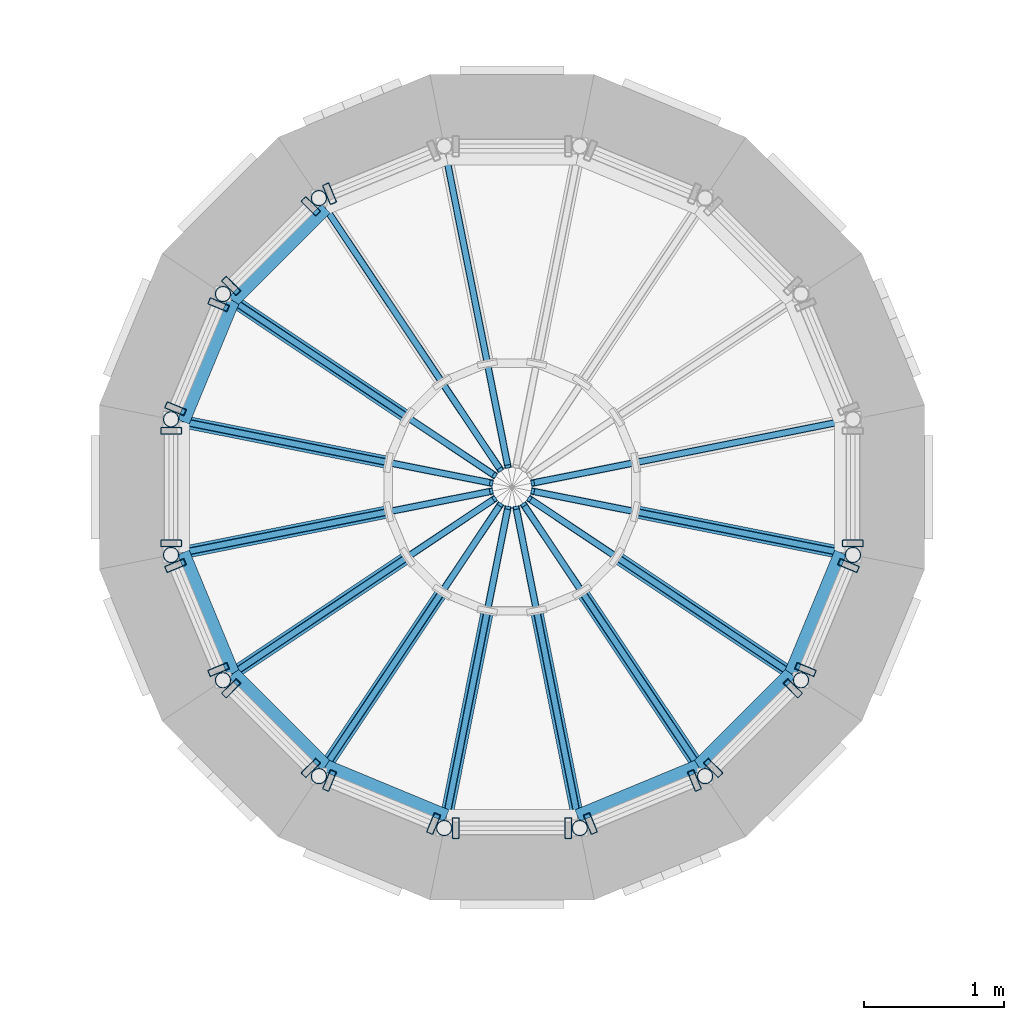
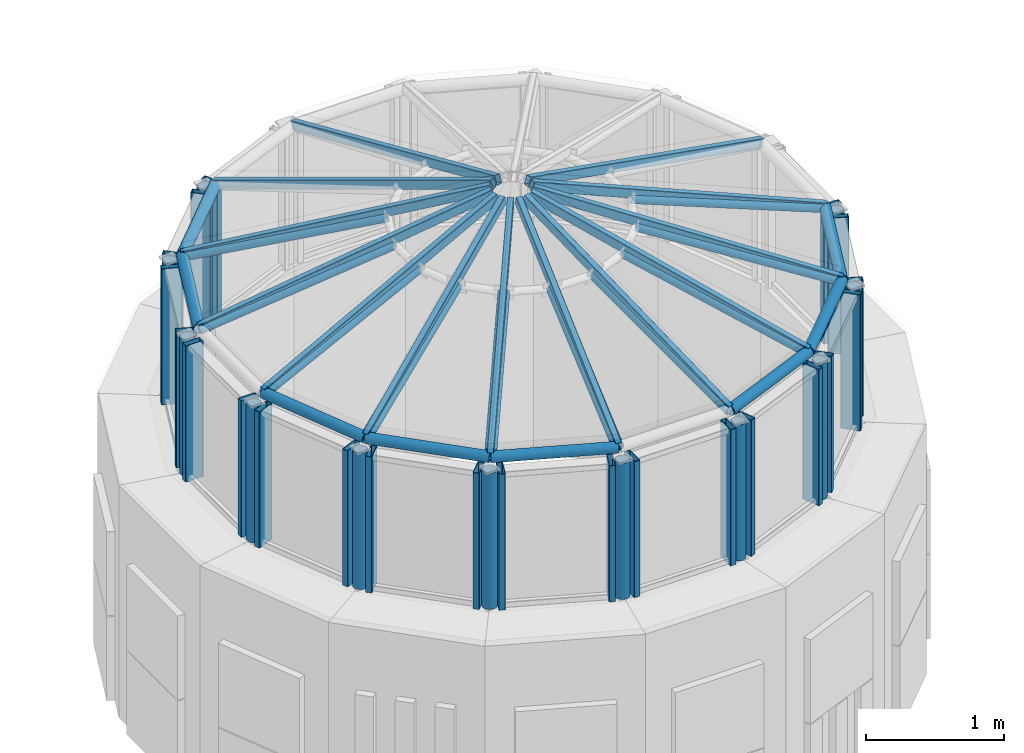
# One storey, part 4 of 36: 64 members, 12 elements without a shape of their own.
"""IFC4 building model written with IfcOpenShell, lengths in metres."""

from ifc_helpers import new_model, si_unit, direction, frame, origin, origin_2d, place, context, subcontext, project, spatial, hollow_rectangle, hollow_circle, extrude, material, material_profile, profile_set, type_object, element, aggregate, save


model = new_model("IFC4")

# Units and contexts
model_context = context("Model", 3, precision=1e-05, world=origin(), true_north=direction((0.0, 1.0)))
body_context = subcontext(model_context, "Body", "Model", "MODEL_VIEW")
ifc_project = project(units=[si_unit("LENGTHUNIT", "METRE"), si_unit("AREAUNIT", "SQUARE_METRE"), si_unit("VOLUMEUNIT", "CUBIC_METRE"), si_unit("PLANEANGLEUNIT", "RADIAN"), si_unit("MASSUNIT", "GRAM", prefix="KILO")], contexts=[model_context])

# Site, building, storey
site_placement = place(None, origin())
site = spatial("IfcSite", under=ifc_project, at=site_placement, CompositionType="ELEMENT")
building_placement = place(site_placement, origin())
building = spatial("IfcBuilding", under=site, at=building_placement, Name="Sun Court Science Centre", CompositionType="ELEMENT")
storey_placement = place(building_placement, frame((0.0, 0.0, 24.75)))
storey = spatial("IfcBuildingStorey", under=building, at=storey_placement, Name="L05", CompositionType="ELEMENT", Elevation=24.75)

# Curtain wall, member
ifc_material_1 = material(Name="Aluminium EN AW-6063 T6", Category="aluminium")
curtain_wall_type = type_object("IfcCurtainWallType", Name="Lantern clerestory curtain wall 1500", PredefinedType="NOTDEFINED", material=ifc_material_1)
curtain_wall_1_placement = place(storey_placement, origin())
curtain_wall_1 = element("IfcCurtainWall", 1, at=curtain_wall_1_placement, inside=storey, type_object=curtain_wall_type, Name="Curtain wall V2 C4 clerestory L05 05", PredefinedType="NOTDEFINED")
ifc_material_2 = material(Name="Aluminium EN AW-6063 T6", Category="aluminium")
ifc_material_profile_1 = material_profile(ifc_material_2, hollow_rectangle(XDim=0.050048828125, YDim=0.14990234375, WallThickness=0.00390625, InnerFilletRadius=0.00390625, OuterFilletRadius=0.006103515625, at=origin_2d()), Name="AL 50x150x4")
ifc_profile_set_1 = profile_set([ifc_material_profile_1], Name="Aluminium EN AW-6063 T6")
member_type_1 = type_object("IfcMemberType", Name="Curtain wall mullion AL 50x150", PredefinedType="MULLION", material=ifc_profile_set_1)
member_1_placement = place(storey_placement, frame((40.698974609375, 26.2919921875, 1.75), z_axis=(0.0, 0.0, 1.0), x_axis=(0.923879532511, 0.382683432365, 0.0)))
member_1 = element("IfcMember", 2, at=member_1_placement, type_object=member_type_1, Name="CW4-53 mullion 1", PredefinedType="MULLION", context=body_context, shape_type="SweptSolid", body=[
    extrude(hollow_rectangle(XDim=0.050048828125, YDim=0.14990234375, WallThickness=0.00390625, InnerFilletRadius=0.00390625, OuterFilletRadius=0.006103515625, at=origin_2d()), origin(), (0.0, 0.0, 1.0), 1.199951171875),
])
aggregate(curtain_wall_1, [member_1])

# Curtain wall, members
curtain_wall_2_placement = place(storey_placement, origin())
curtain_wall_2 = element("IfcCurtainWall", 3, at=curtain_wall_2_placement, inside=storey, type_object=curtain_wall_type, Name="Curtain wall V2 C4 clerestory L05 06", PredefinedType="NOTDEFINED")
member_2_placement = place(storey_placement, frame((39.99755859375, 25.635009765625, 1.75), z_axis=(0.0, 0.0, 1.0), x_axis=(0.707106781187, 0.707106781187, 0.0)))
member_2 = element("IfcMember", 4, at=member_2_placement, type_object=member_type_1, Name="CW4-54 mullion 1", PredefinedType="MULLION", context=body_context, shape_type="SweptSolid", body=[
    extrude(hollow_rectangle(XDim=0.050048828125, YDim=0.14990234375, WallThickness=0.00390625, InnerFilletRadius=0.00390625, OuterFilletRadius=0.006103515625, at=origin_2d()), origin(), (0.0, 0.0, 1.0), 1.199951171875),
])
member_3_placement = place(storey_placement, frame((40.565185546875, 26.202392578125, 1.75), z_axis=(0.0, 0.0, 1.0), x_axis=(0.707106781187, 0.707106781187, 0.0)))
member_3 = element("IfcMember", 5, at=member_3_placement, type_object=member_type_1, Name="CW4-54 mullion 2", PredefinedType="MULLION", context=body_context, shape_type="SweptSolid", body=[
    extrude(hollow_rectangle(XDim=0.050048828125, YDim=0.14990234375, WallThickness=0.00390625, InnerFilletRadius=0.00390625, OuterFilletRadius=0.006103515625, at=origin_2d()), origin(), (0.0, 0.0, 1.0), 1.199951171875),
])
aggregate(curtain_wall_2, [member_2, member_3])

curtain_wall_3_placement = place(storey_placement, origin())
curtain_wall_3 = element("IfcCurtainWall", 6, at=curtain_wall_3_placement, inside=storey, type_object=curtain_wall_type, Name="Curtain wall V2 C4 clerestory L05 07", PredefinedType="NOTDEFINED")
member_4_placement = place(storey_placement, frame((39.600830078125, 24.75927734375, 1.75), z_axis=(0.0, 0.0, 1.0), x_axis=(0.382683432365, 0.923879532511, 0.0)))
member_4 = element("IfcMember", 7, at=member_4_placement, type_object=member_type_1, Name="CW4-55 mullion 1", PredefinedType="MULLION", context=body_context, shape_type="SweptSolid", body=[
    extrude(hollow_rectangle(XDim=0.050048828125, YDim=0.14990234375, WallThickness=0.00390625, InnerFilletRadius=0.00390625, OuterFilletRadius=0.006103515625, at=origin_2d()), origin(), (0.0, 0.0, 1.0), 1.199951171875),
])
member_5_placement = place(storey_placement, frame((39.907958984375, 25.5009765625, 1.75), z_axis=(0.0, 0.0, 1.0), x_axis=(0.382683432365, 0.923879532511, 0.0)))
member_5 = element("IfcMember", 8, at=member_5_placement, type_object=member_type_1, Name="CW4-55 mullion 2", PredefinedType="MULLION", context=body_context, shape_type="SweptSolid", body=[
    extrude(hollow_rectangle(XDim=0.050048828125, YDim=0.14990234375, WallThickness=0.00390625, InnerFilletRadius=0.00390625, OuterFilletRadius=0.006103515625, at=origin_2d()), origin(), (0.0, 0.0, 1.0), 1.199951171875),
])
aggregate(curtain_wall_3, [member_4, member_5])

curtain_wall_4_placement = place(storey_placement, origin())
curtain_wall_4 = element("IfcCurtainWall", 9, at=curtain_wall_4_placement, inside=storey, type_object=curtain_wall_type, Name="Curtain wall V2 C4 clerestory L05 08", PredefinedType="NOTDEFINED")
member_6_placement = place(storey_placement, frame((39.5693359375, 23.798583984375, 1.75), z_axis=(0.0, 0.0, 1.0), x_axis=(0.0, 1.0, 0.0)))
member_6 = element("IfcMember", 10, at=member_6_placement, type_object=member_type_1, Name="CW4-56 mullion 1", PredefinedType="MULLION", context=body_context, shape_type="SweptSolid", body=[
    extrude(hollow_rectangle(XDim=0.050048828125, YDim=0.14990234375, WallThickness=0.00390625, InnerFilletRadius=0.00390625, OuterFilletRadius=0.006103515625, at=origin_2d()), origin(), (0.0, 0.0, 1.0), 1.199951171875),
])
member_7_placement = place(storey_placement, frame((39.5693359375, 24.601318359375, 1.75), z_axis=(0.0, 0.0, 1.0), x_axis=(0.0, 1.0, 0.0)))
member_7 = element("IfcMember", 11, at=member_7_placement, type_object=member_type_1, Name="CW4-56 mullion 2", PredefinedType="MULLION", context=body_context, shape_type="SweptSolid", body=[
    extrude(hollow_rectangle(XDim=0.050048828125, YDim=0.14990234375, WallThickness=0.00390625, InnerFilletRadius=0.00390625, OuterFilletRadius=0.006103515625, at=origin_2d()), origin(), (0.0, 0.0, 1.0), 1.199951171875),
])
aggregate(curtain_wall_4, [member_6, member_7])

curtain_wall_5_placement = place(storey_placement, origin())
curtain_wall_5 = element("IfcCurtainWall", 12, at=curtain_wall_5_placement, inside=storey, type_object=curtain_wall_type, Name="Curtain wall V2 C4 clerestory L05 09", PredefinedType="NOTDEFINED")
member_8_placement = place(storey_placement, frame((39.907958984375, 22.899169921875, 1.75), z_axis=(0.0, 0.0, 1.0), x_axis=(-0.382683432365, 0.923879532511, 0.0)))
member_8 = element("IfcMember", 13, at=member_8_placement, type_object=member_type_1, Name="CW4-57 mullion 1", PredefinedType="MULLION", context=body_context, shape_type="SweptSolid", body=[
    extrude(hollow_rectangle(XDim=0.050048828125, YDim=0.14990234375, WallThickness=0.00390625, InnerFilletRadius=0.00390625, OuterFilletRadius=0.006103515625, at=origin_2d()), origin(), (0.0, 0.0, 1.0), 1.199951171875),
])
member_9_placement = place(storey_placement, frame((39.600830078125, 23.640625, 1.75), z_axis=(0.0, 0.0, 1.0), x_axis=(-0.382683432365, 0.923879532511, 0.0)))
member_9 = element("IfcMember", 14, at=member_9_placement, type_object=member_type_1, Name="CW4-57 mullion 2", PredefinedType="MULLION", context=body_context, shape_type="SweptSolid", body=[
    extrude(hollow_rectangle(XDim=0.050048828125, YDim=0.14990234375, WallThickness=0.00390625, InnerFilletRadius=0.00390625, OuterFilletRadius=0.006103515625, at=origin_2d()), origin(), (0.0, 0.0, 1.0), 1.199951171875),
])
aggregate(curtain_wall_5, [member_8, member_9])

curtain_wall_6_placement = place(storey_placement, origin())
curtain_wall_6 = element("IfcCurtainWall", 15, at=curtain_wall_6_placement, inside=storey, type_object=curtain_wall_type, Name="Curtain wall V2 C4 clerestory L05 10", PredefinedType="NOTDEFINED")
member_10_placement = place(storey_placement, frame((39.99755859375, 22.76513671875, 1.75), z_axis=(0.0, 0.0, 1.0), x_axis=(-0.707106781187, 0.707106781187, 0.0)))
member_10 = element("IfcMember", 16, at=member_10_placement, type_object=member_type_1, Name="CW4-58 mullion 2", PredefinedType="MULLION", context=body_context, shape_type="SweptSolid", body=[
    extrude(hollow_rectangle(XDim=0.050048828125, YDim=0.14990234375, WallThickness=0.00390625, InnerFilletRadius=0.00390625, OuterFilletRadius=0.006103515625, at=origin_2d()), origin(), (0.0, 0.0, 1.0), 1.199951171875),
])
member_11_placement = place(storey_placement, frame((40.565185546875, 22.197509765625, 1.75), z_axis=(0.0, 0.0, 1.0), x_axis=(-0.707106781187, 0.707106781187, 0.0)))
member_11 = element("IfcMember", 17, at=member_11_placement, type_object=member_type_1, Name="CW4-58 mullion 1", PredefinedType="MULLION", context=body_context, shape_type="SweptSolid", body=[
    extrude(hollow_rectangle(XDim=0.050048828125, YDim=0.14990234375, WallThickness=0.00390625, InnerFilletRadius=0.00390625, OuterFilletRadius=0.006103515625, at=origin_2d()), origin(), (0.0, 0.0, 1.0), 1.199951171875),
])
aggregate(curtain_wall_6, [member_10, member_11])

curtain_wall_7_placement = place(storey_placement, origin())
curtain_wall_7 = element("IfcCurtainWall", 18, at=curtain_wall_7_placement, inside=storey, type_object=curtain_wall_type, Name="Curtain wall V2 C4 clerestory L05 11", PredefinedType="NOTDEFINED")
member_12_placement = place(storey_placement, frame((40.698974609375, 22.10791015625, 1.75), z_axis=(0.0, 0.0, 1.0), x_axis=(-0.923879532511, 0.382683432365, 0.0)))
member_12 = element("IfcMember", 19, at=member_12_placement, type_object=member_type_1, Name="CW4-59 mullion 2", PredefinedType="MULLION", context=body_context, shape_type="SweptSolid", body=[
    extrude(hollow_rectangle(XDim=0.050048828125, YDim=0.14990234375, WallThickness=0.00390625, InnerFilletRadius=0.00390625, OuterFilletRadius=0.006103515625, at=origin_2d()), origin(), (0.0, 0.0, 1.0), 1.199951171875),
])
member_13_placement = place(storey_placement, frame((41.440673828125, 21.80078125, 1.75), z_axis=(0.0, 0.0, 1.0), x_axis=(-0.923879532511, 0.382683432365, 0.0)))
member_13 = element("IfcMember", 20, at=member_13_placement, type_object=member_type_1, Name="CW4-59 mullion 1", PredefinedType="MULLION", context=body_context, shape_type="SweptSolid", body=[
    extrude(hollow_rectangle(XDim=0.050048828125, YDim=0.14990234375, WallThickness=0.00390625, InnerFilletRadius=0.00390625, OuterFilletRadius=0.006103515625, at=origin_2d()), origin(), (0.0, 0.0, 1.0), 1.199951171875),
])
aggregate(curtain_wall_7, [member_12, member_13])

curtain_wall_8_placement = place(storey_placement, origin())
curtain_wall_8 = element("IfcCurtainWall", 21, at=curtain_wall_8_placement, inside=storey, type_object=curtain_wall_type, Name="Curtain wall V2 C4 clerestory L05 12", PredefinedType="NOTDEFINED")
member_14_placement = place(storey_placement, frame((41.5986328125, 21.769287109375, 1.75), z_axis=(0.0, 0.0, 1.0), x_axis=(-1.0, 0.0, 0.0)))
member_14 = element("IfcMember", 22, at=member_14_placement, type_object=member_type_1, Name="CW4-60 mullion 2", PredefinedType="MULLION", context=body_context, shape_type="SweptSolid", body=[
    extrude(hollow_rectangle(XDim=0.050048828125, YDim=0.14990234375, WallThickness=0.00390625, InnerFilletRadius=0.00390625, OuterFilletRadius=0.006103515625, at=origin_2d()), origin(), (0.0, 0.0, 1.0), 1.199951171875),
])
member_15_placement = place(storey_placement, frame((42.4013671875, 21.769287109375, 1.75), z_axis=(0.0, 0.0, 1.0), x_axis=(-1.0, 0.0, 0.0)))
member_15 = element("IfcMember", 23, at=member_15_placement, type_object=member_type_1, Name="CW4-60 mullion 1", PredefinedType="MULLION", context=body_context, shape_type="SweptSolid", body=[
    extrude(hollow_rectangle(XDim=0.050048828125, YDim=0.14990234375, WallThickness=0.00390625, InnerFilletRadius=0.00390625, OuterFilletRadius=0.006103515625, at=origin_2d()), origin(), (0.0, 0.0, 1.0), 1.199951171875),
])
aggregate(curtain_wall_8, [member_14, member_15])

curtain_wall_9_placement = place(storey_placement, origin())
curtain_wall_9 = element("IfcCurtainWall", 24, at=curtain_wall_9_placement, inside=storey, type_object=curtain_wall_type, Name="Curtain wall V2 C4 clerestory L05 13", PredefinedType="NOTDEFINED")
member_16_placement = place(storey_placement, frame((42.559326171875, 21.80078125, 1.75), z_axis=(0.0, 0.0, 1.0), x_axis=(-0.923879532511, -0.382683432365, 0.0)))
member_16 = element("IfcMember", 25, at=member_16_placement, type_object=member_type_1, Name="CW4-61 mullion 2", PredefinedType="MULLION", context=body_context, shape_type="SweptSolid", body=[
    extrude(hollow_rectangle(XDim=0.050048828125, YDim=0.14990234375, WallThickness=0.00390625, InnerFilletRadius=0.00390625, OuterFilletRadius=0.006103515625, at=origin_2d()), origin(), (0.0, 0.0, 1.0), 1.199951171875),
])
member_17_placement = place(storey_placement, frame((43.301025390625, 22.10791015625, 1.75), z_axis=(0.0, 0.0, 1.0), x_axis=(-0.923879532511, -0.382683432365, 0.0)))
member_17 = element("IfcMember", 26, at=member_17_placement, type_object=member_type_1, Name="CW4-61 mullion 1", PredefinedType="MULLION", context=body_context, shape_type="SweptSolid", body=[
    extrude(hollow_rectangle(XDim=0.050048828125, YDim=0.14990234375, WallThickness=0.00390625, InnerFilletRadius=0.00390625, OuterFilletRadius=0.006103515625, at=origin_2d()), origin(), (0.0, 0.0, 1.0), 1.199951171875),
])
aggregate(curtain_wall_9, [member_16, member_17])

curtain_wall_10_placement = place(storey_placement, origin())
curtain_wall_10 = element("IfcCurtainWall", 27, at=curtain_wall_10_placement, inside=storey, type_object=curtain_wall_type, Name="Curtain wall V2 C4 clerestory L05 14", PredefinedType="NOTDEFINED")
member_18_placement = place(storey_placement, frame((43.434814453125, 22.197509765625, 1.75), z_axis=(0.0, 0.0, 1.0), x_axis=(-0.707106781187, -0.707106781187, 0.0)))
member_18 = element("IfcMember", 28, at=member_18_placement, type_object=member_type_1, Name="CW4-62 mullion 2", PredefinedType="MULLION", context=body_context, shape_type="SweptSolid", body=[
    extrude(hollow_rectangle(XDim=0.050048828125, YDim=0.14990234375, WallThickness=0.00390625, InnerFilletRadius=0.00390625, OuterFilletRadius=0.006103515625, at=origin_2d()), origin(), (0.0, 0.0, 1.0), 1.199951171875),
])
member_19_placement = place(storey_placement, frame((44.00244140625, 22.76513671875, 1.75), z_axis=(0.0, 0.0, 1.0), x_axis=(-0.707106781187, -0.707106781187, 0.0)))
member_19 = element("IfcMember", 29, at=member_19_placement, type_object=member_type_1, Name="CW4-62 mullion 1", PredefinedType="MULLION", context=body_context, shape_type="SweptSolid", body=[
    extrude(hollow_rectangle(XDim=0.050048828125, YDim=0.14990234375, WallThickness=0.00390625, InnerFilletRadius=0.00390625, OuterFilletRadius=0.006103515625, at=origin_2d()), origin(), (0.0, 0.0, 1.0), 1.199951171875),
])
aggregate(curtain_wall_10, [member_18, member_19])

curtain_wall_11_placement = place(storey_placement, origin())
curtain_wall_11 = element("IfcCurtainWall", 30, at=curtain_wall_11_placement, inside=storey, type_object=curtain_wall_type, Name="Curtain wall V2 C4 clerestory L05 15", PredefinedType="NOTDEFINED")
member_20_placement = place(storey_placement, frame((44.092041015625, 22.899169921875, 1.75), z_axis=(0.0, 0.0, 1.0), x_axis=(-0.382683432365, -0.923879532511, 0.0)))
member_20 = element("IfcMember", 31, at=member_20_placement, type_object=member_type_1, Name="CW4-63 mullion 2", PredefinedType="MULLION", context=body_context, shape_type="SweptSolid", body=[
    extrude(hollow_rectangle(XDim=0.050048828125, YDim=0.14990234375, WallThickness=0.00390625, InnerFilletRadius=0.00390625, OuterFilletRadius=0.006103515625, at=origin_2d()), origin(), (0.0, 0.0, 1.0), 1.199951171875),
])
member_21_placement = place(storey_placement, frame((44.399169921875, 23.640625, 1.75), z_axis=(0.0, 0.0, 1.0), x_axis=(-0.382683432365, -0.923879532511, 0.0)))
member_21 = element("IfcMember", 32, at=member_21_placement, type_object=member_type_1, Name="CW4-63 mullion 1", PredefinedType="MULLION", context=body_context, shape_type="SweptSolid", body=[
    extrude(hollow_rectangle(XDim=0.050048828125, YDim=0.14990234375, WallThickness=0.00390625, InnerFilletRadius=0.00390625, OuterFilletRadius=0.006103515625, at=origin_2d()), origin(), (0.0, 0.0, 1.0), 1.199951171875),
])
aggregate(curtain_wall_11, [member_20, member_21])

# Curtain wall, member
curtain_wall_12_placement = place(storey_placement, origin())
curtain_wall_12 = element("IfcCurtainWall", 33, at=curtain_wall_12_placement, inside=storey, type_object=curtain_wall_type, Name="Curtain wall V2 C4 clerestory L05 16", PredefinedType="NOTDEFINED")
member_22_placement = place(storey_placement, frame((44.4306640625, 23.798583984375, 1.75), z_axis=(0.0, 0.0, 1.0), x_axis=(0.0, -1.0, 0.0)))
member_22 = element("IfcMember", 34, at=member_22_placement, type_object=member_type_1, Name="CW4-64 mullion 2", PredefinedType="MULLION", context=body_context, shape_type="SweptSolid", body=[
    extrude(hollow_rectangle(XDim=0.050048828125, YDim=0.14990234375, WallThickness=0.00390625, InnerFilletRadius=0.00390625, OuterFilletRadius=0.006103515625, at=origin_2d()), origin(), (0.0, 0.0, 1.0), 1.199951171875),
])
aggregate(curtain_wall_12, [member_22])

# Members
ifc_material_3 = material(Name="Aluminium EN AW-6063 T6", Category="aluminium")
ifc_material_profile_2 = material_profile(ifc_material_3, hollow_rectangle(XDim=0.050048828125, YDim=0.080078125, WallThickness=0.00390625, InnerFilletRadius=0.00390625, OuterFilletRadius=0.006103515625, at=origin_2d()), Name="AL 50x80x4")
ifc_profile_set_2 = profile_set([ifc_material_profile_2], Name="Aluminium EN AW-6063 T6")
member_type_2 = type_object("IfcMemberType", Name="Glazing bar AL 50x80", PredefinedType="USERDEFINED", material=ifc_profile_set_2)
member_23_placement = place(storey_placement, frame((44.34228515625, 24.666015625, 3.0), z_axis=(-0.936990491088, -0.186439326944, 0.295447452145), x_axis=(0.195151067362, -0.980773195447, 0.0)))
element("IfcMember", 35, at=member_23_placement, inside=storey, type_object=member_type_2, Name="Lantern glazing bar cone 4 01", ObjectType="Glazing bar", PredefinedType="USERDEFINED", context=body_context, shape_type="SweptSolid", body=[
    extrude(hollow_rectangle(XDim=0.050048828125, YDim=0.080078125, WallThickness=0.00390625, InnerFilletRadius=0.00390625, OuterFilletRadius=0.006103515625, at=origin_2d()), origin(), (0.0, 0.0, 1.0), 2.3427734375),
])
member_24_placement = place(storey_placement, frame((41.5341796875, 26.542236328125, 3.0), z_axis=(0.186338732193, -0.937008691916, 0.295453191145), x_axis=(0.980794068817, 0.195046134473, 0.0)))
element("IfcMember", 36, at=member_24_placement, inside=storey, type_object=member_type_2, Name="Lantern glazing bar cone 4 05", ObjectType="Glazing bar", PredefinedType="USERDEFINED", context=body_context, shape_type="SweptSolid", body=[
    extrude(hollow_rectangle(XDim=0.050048828125, YDim=0.080078125, WallThickness=0.00390625, InnerFilletRadius=0.00390625, OuterFilletRadius=0.006103515625, at=origin_2d()), origin(), (0.0, 0.0, 1.0), 2.342529296875),
])
member_25_placement = place(storey_placement, frame((40.673095703125, 26.185791015625, 3.0), z_axis=(0.530808793262, -0.794337540447, 0.295414787769), x_axis=(0.831445717229, 0.555605992859, 0.0)))
element("IfcMember", 37, at=member_25_placement, inside=storey, type_object=member_type_2, Name="Lantern glazing bar cone 4 06", ObjectType="Glazing bar", PredefinedType="USERDEFINED", context=body_context, shape_type="SweptSolid", body=[
    extrude(hollow_rectangle(XDim=0.050048828125, YDim=0.080078125, WallThickness=0.00390625, InnerFilletRadius=0.00390625, OuterFilletRadius=0.006103515625, at=origin_2d()), origin(), (0.0, 0.0, 1.0), 2.343017578125),
])
for number, where, z_axis, x_axis, name in (
    (38, (40.01416015625, 25.52685546875, 3.0), (0.794381475966, -0.53073394426, 0.295431127425), (0.555530585235, 0.831496102738, 0.0), "Lantern glazing bar cone 4 07"),
    (39, (39.65771484375, 24.666015625, 3.0), (0.936990491088, -0.186439326944, 0.295447452145), (0.195151067362, 0.980773195447, 0.0), "Lantern glazing bar cone 4 08"),
):
    element("IfcMember", number, at=place(storey_placement, frame(where, z_axis=z_axis, x_axis=x_axis)), inside=storey, type_object=member_type_2, Name=name, ObjectType="Glazing bar", PredefinedType="USERDEFINED", context=body_context, shape_type="SweptSolid", body=[
        extrude(hollow_rectangle(XDim=0.050048828125, YDim=0.080078125, WallThickness=0.00390625, InnerFilletRadius=0.00390625, OuterFilletRadius=0.006103515625, at=origin_2d()), origin(), (0.0, 0.0, 1.0), 2.3427734375),
    ])
member_26_placement = place(storey_placement, frame((39.65771484375, 23.734130859375, 3.0), z_axis=(0.937008691916, 0.186338732193, 0.295453191145), x_axis=(-0.195046134473, 0.980794068817, 0.0)))
element("IfcMember", 40, at=member_26_placement, inside=storey, type_object=member_type_2, Name="Lantern glazing bar cone 4 09", ObjectType="Glazing bar", PredefinedType="USERDEFINED", context=body_context, shape_type="SweptSolid", body=[
    extrude(hollow_rectangle(XDim=0.050048828125, YDim=0.080078125, WallThickness=0.00390625, InnerFilletRadius=0.00390625, OuterFilletRadius=0.006103515625, at=origin_2d()), origin(), (0.0, 0.0, 1.0), 2.342529296875),
])
member_27_placement = place(storey_placement, frame((40.01416015625, 22.873046875, 3.0), z_axis=(0.794337540447, 0.530808793262, 0.295414787769), x_axis=(-0.555605992859, 0.831445717229, 0.0)))
element("IfcMember", 41, at=member_27_placement, inside=storey, type_object=member_type_2, Name="Lantern glazing bar cone 4 10", ObjectType="Glazing bar", PredefinedType="USERDEFINED", context=body_context, shape_type="SweptSolid", body=[
    extrude(hollow_rectangle(XDim=0.050048828125, YDim=0.080078125, WallThickness=0.00390625, InnerFilletRadius=0.00390625, OuterFilletRadius=0.006103515625, at=origin_2d()), origin(), (0.0, 0.0, 1.0), 2.343017578125),
])
for number, where, z_axis, x_axis, name in (
    (42, (40.673095703125, 22.21435546875, 3.0), (0.530852732022, 0.794299081954, 0.29543924132), (-0.831412042749, 0.555656382283, 0.0), "Lantern glazing bar cone 4 11"),
    (43, (41.5341796875, 21.857666015625, 3.0), (0.186320537576, 0.937021405975, 0.295424342298), (-0.980798218117, 0.19502526846, 0.0), "Lantern glazing bar cone 4 12"),
    (44, (42.4658203125, 21.857666015625, 3.0), (-0.186320537576, 0.937021405975, 0.295424342298), (-0.980798218117, -0.19502526846, 0.0), "Lantern glazing bar cone 4 13"),
    (45, (43.326904296875, 22.21435546875, 3.0), (-0.530852732022, 0.794299081954, 0.29543924132), (-0.831412042749, -0.555656382283, 0.0), "Lantern glazing bar cone 4 14"),
):
    element("IfcMember", number, at=place(storey_placement, frame(where, z_axis=z_axis, x_axis=x_axis)), inside=storey, type_object=member_type_2, Name=name, ObjectType="Glazing bar", PredefinedType="USERDEFINED", context=body_context, shape_type="SweptSolid", body=[
        extrude(hollow_rectangle(XDim=0.050048828125, YDim=0.080078125, WallThickness=0.00390625, InnerFilletRadius=0.00390625, OuterFilletRadius=0.006103515625, at=origin_2d()), origin(), (0.0, 0.0, 1.0), 2.3427734375),
    ])
member_28_placement = place(storey_placement, frame((43.98583984375, 22.873046875, 3.0), z_axis=(-0.794337540447, 0.530808793262, 0.295414787769), x_axis=(-0.555605992859, -0.831445717229, 0.0)))
element("IfcMember", 46, at=member_28_placement, inside=storey, type_object=member_type_2, Name="Lantern glazing bar cone 4 15", ObjectType="Glazing bar", PredefinedType="USERDEFINED", context=body_context, shape_type="SweptSolid", body=[
    extrude(hollow_rectangle(XDim=0.050048828125, YDim=0.080078125, WallThickness=0.00390625, InnerFilletRadius=0.00390625, OuterFilletRadius=0.006103515625, at=origin_2d()), origin(), (0.0, 0.0, 1.0), 2.343017578125),
])
member_29_placement = place(storey_placement, frame((44.34228515625, 23.734130859375, 3.0), z_axis=(-0.937008691916, 0.186338732193, 0.295453191145), x_axis=(-0.195046134473, -0.980794068817, 0.0)))
element("IfcMember", 47, at=member_29_placement, inside=storey, type_object=member_type_2, Name="Lantern glazing bar cone 4 16", ObjectType="Glazing bar", PredefinedType="USERDEFINED", context=body_context, shape_type="SweptSolid", body=[
    extrude(hollow_rectangle(XDim=0.050048828125, YDim=0.080078125, WallThickness=0.00390625, InnerFilletRadius=0.00390625, OuterFilletRadius=0.006103515625, at=origin_2d()), origin(), (0.0, 0.0, 1.0), 2.342529296875),
])
ifc_material_4 = material(Name="Steel S355", Category="steel")
ifc_material_profile_3 = material_profile(ifc_material_4, hollow_circle(Radius=0.04443359375, WallThickness=0.0048828125, at=origin_2d()), Name="CHS 88.9x5")
ifc_profile_set_3 = profile_set([ifc_material_profile_3], Name="Steel S355")
member_type_3 = type_object("IfcMemberType", Name="Lantern base ring CHS 88.9x5", PredefinedType="CHORD", material=ifc_profile_set_3)
member_30_placement = place(storey_placement, frame((40.673095703125, 26.185791015625, 2.994384765625), z_axis=(-0.707106781187, -0.707106781187, 0.0), x_axis=(0.707106781187, -0.707106781187, 0.0)))
element("IfcMember", 48, at=member_30_placement, inside=storey, type_object=member_type_3, Name="Cone 4 lantern base ring 6", PredefinedType="CHORD", context=body_context, shape_type="SweptSolid", body=[
    extrude(hollow_circle(Radius=0.04443359375, WallThickness=0.0048828125, at=origin_2d()), origin(), (0.0, 0.0, 1.0), 0.931884765625),
])
member_31_placement = place(storey_placement, frame((40.01416015625, 25.52685546875, 2.994384765625), z_axis=(-0.38256779302, -0.923927423418, 0.0), x_axis=(0.923927423418, -0.38256779302, 0.0)))
element("IfcMember", 49, at=member_31_placement, inside=storey, type_object=member_type_3, Name="Cone 4 lantern base ring 7", PredefinedType="CHORD", context=body_context, shape_type="SweptSolid", body=[
    extrude(hollow_circle(Radius=0.04443359375, WallThickness=0.0048828125, at=origin_2d()), origin(), (0.0, 0.0, 1.0), 0.931640625),
])
member_32_placement = place(storey_placement, frame((39.65771484375, 23.734130859375, 2.994384765625), z_axis=(0.382475194149, -0.923965760113, 0.0), x_axis=(0.923965760113, 0.382475194149, 0.0)))
element("IfcMember", 50, at=member_32_placement, inside=storey, type_object=member_type_3, Name="Cone 4 lantern base ring 9", PredefinedType="CHORD", context=body_context, shape_type="SweptSolid", body=[
    extrude(hollow_circle(Radius=0.04443359375, WallThickness=0.0048828125, at=origin_2d()), origin(), (0.0, 0.0, 1.0), 0.931884765625),
])
member_33_placement = place(storey_placement, frame((40.01416015625, 22.873046875, 2.994384765625), z_axis=(0.707237787534, -0.706975750562, 0.0), x_axis=(0.706975750562, 0.707237787534, 0.0)))
element("IfcMember", 51, at=member_33_placement, inside=storey, type_object=member_type_3, Name="Cone 4 lantern base ring 10", PredefinedType="CHORD", context=body_context, shape_type="SweptSolid", body=[
    extrude(hollow_circle(Radius=0.04443359375, WallThickness=0.0048828125, at=origin_2d()), origin(), (0.0, 0.0, 1.0), 0.931640625),
])
for number, where, z_axis, x_axis, name in (
    (52, (40.673095703125, 22.21435546875, 2.994384765625), (0.923873163951, -0.382698807069, 0.0), (0.382698807069, 0.923873163951, 0.0), "Cone 4 lantern base ring 11"),
    (53, (42.4658203125, 21.857666015625, 2.994384765625), (0.923873163951, 0.382698807069, 0.0), (-0.382698807069, 0.923873163951, 0.0), "Cone 4 lantern base ring 13"),
):
    element("IfcMember", number, at=place(storey_placement, frame(where, z_axis=z_axis, x_axis=x_axis)), inside=storey, type_object=member_type_3, Name=name, PredefinedType="CHORD", context=body_context, shape_type="SweptSolid", body=[
        extrude(hollow_circle(Radius=0.04443359375, WallThickness=0.0048828125, at=origin_2d()), origin(), (0.0, 0.0, 1.0), 0.93212890625),
    ])
member_34_placement = place(storey_placement, frame((43.326904296875, 22.21435546875, 2.994384765625), z_axis=(0.707237787534, 0.706975750562, 0.0), x_axis=(-0.706975750562, 0.707237787534, 0.0)))
element("IfcMember", 54, at=member_34_placement, inside=storey, type_object=member_type_3, Name="Cone 4 lantern base ring 14", PredefinedType="CHORD", context=body_context, shape_type="SweptSolid", body=[
    extrude(hollow_circle(Radius=0.04443359375, WallThickness=0.0048828125, at=origin_2d()), origin(), (0.0, 0.0, 1.0), 0.931640625),
])
member_35_placement = place(storey_placement, frame((43.98583984375, 22.873046875, 2.994384765625), z_axis=(0.382475194149, 0.923965760113, 0.0), x_axis=(-0.923965760113, 0.382475194149, 0.0)))
element("IfcMember", 55, at=member_35_placement, inside=storey, type_object=member_type_3, Name="Cone 4 lantern base ring 15", PredefinedType="CHORD", context=body_context, shape_type="SweptSolid", body=[
    extrude(hollow_circle(Radius=0.04443359375, WallThickness=0.0048828125, at=origin_2d()), origin(), (0.0, 0.0, 1.0), 0.931884765625),
])
ifc_material_5 = material(Name="Steel S355", Category="steel")
ifc_material_profile_4 = material_profile(ifc_material_5, hollow_circle(Radius=0.05712890625, WallThickness=0.00634765625, at=origin_2d()), Name="CHS 114.3x6.3")
ifc_profile_set_4 = profile_set([ifc_material_profile_4], Name="Steel S355")
member_type_4 = type_object("IfcMemberType", Name="Lantern post CHS 114.3x6.3", PredefinedType="POST", material=ifc_profile_set_4)
for number, where, z_axis, x_axis, name in (
    (56, (40.623046875, 26.260498046875, 1.75), (0.0, 0.0, 1.0), (1.0, 0.0, 0.0), "Cone 4 clerestory post 6"),
    (57, (39.939453125, 25.576904296875, 1.75), (0.0, 0.0, 1.0), (1.0, 0.0, 0.0), "Cone 4 clerestory post 7"),
    (58, (39.5693359375, 24.68359375, 1.75), (0.0, 0.0, 1.0), (1.0, 0.0, 0.0), "Cone 4 clerestory post 8"),
    (59, (39.5693359375, 23.716552734375, 1.75), (0.0, 0.0, 1.0), (1.0, 0.0, 0.0), "Cone 4 clerestory post 9"),
    (60, (39.939453125, 22.8232421875, 1.75), (0.0, 0.0, 1.0), (1.0, 0.0, 0.0), "Cone 4 clerestory post 10"),
    (61, (40.623046875, 22.139404296875, 1.75), (0.0, 0.0, 1.0), (1.0, 0.0, 0.0), "Cone 4 clerestory post 11"),
    (62, (41.5166015625, 21.769287109375, 1.75), (0.0, 0.0, 1.0), (1.0, 0.0, 0.0), "Cone 4 clerestory post 12"),
    (63, (42.4833984375, 21.769287109375, 1.75), (0.0, 0.0, 1.0), (1.0, 0.0, 0.0), "Cone 4 clerestory post 13"),
    (64, (43.376953125, 22.139404296875, 1.75), (0.0, 0.0, 1.0), (1.0, 0.0, 0.0), "Cone 4 clerestory post 14"),
    (65, (44.060546875, 22.8232421875, 1.75), (0.0, 0.0, 1.0), (1.0, 0.0, 0.0), "Cone 4 clerestory post 15"),
    (66, (44.4306640625, 23.716552734375, 1.75), (0.0, 0.0, 1.0), (1.0, 0.0, 0.0), "Cone 4 clerestory post 16"),
):
    element("IfcMember", number, at=place(storey_placement, frame(where, z_axis=z_axis, x_axis=x_axis)), inside=storey, type_object=member_type_4, Name=name, PredefinedType="POST", context=body_context, shape_type="SweptSolid", body=[
        extrude(hollow_circle(Radius=0.05712890625, WallThickness=0.00634765625, at=origin_2d()), origin(), (0.0, 0.0, 1.0), 1.199951171875),
    ])
ifc_material_6 = material(Name="Steel S355", Category="steel")
ifc_material_profile_5 = material_profile(ifc_material_6, hollow_circle(Radius=0.04443359375, WallThickness=0.0048828125, at=origin_2d()), Name="CHS 88.9x5")
ifc_profile_set_5 = profile_set([ifc_material_profile_5], Name="Steel S355")
member_type_5 = type_object("IfcMemberType", Name="Lantern rafter CHS 88.9x5", PredefinedType="RAFTER", material=ifc_profile_set_5)
member_36_placement = place(storey_placement, frame((40.01416015625, 25.52685546875, 2.994384765625), z_axis=(0.80081148443, -0.535085519385, 0.269043590054), x_axis=(0.555570514751, 0.831469424055, 0.0)))
element("IfcMember", 67, at=member_36_placement, inside=storey, type_object=member_type_5, Name="Cone 4 lantern rafter 7", PredefinedType="RAFTER", context=body_context, shape_type="SweptSolid", body=[
    extrude(hollow_circle(Radius=0.04443359375, WallThickness=0.0048828125, at=origin_2d()), origin(), (0.0, 0.0, 1.0), 1.54541015625),
])
for number, where, z_axis, x_axis, name in (
    (68, (39.65771484375, 24.666015625, 2.994384765625), (0.944581656921, -0.188031477373, 0.269090425182), (0.195232649896, 0.980756958892, 0.0), "Cone 4 lantern rafter 8"),
    (69, (39.65771484375, 23.734130859375, 2.994384765625), (0.944609710644, 0.1878790475, 0.269098417067), (-0.195074834582, 0.980788360918, 0.0), "Cone 4 lantern rafter 9"),
):
    element("IfcMember", number, at=place(storey_placement, frame(where, z_axis=z_axis, x_axis=x_axis)), inside=storey, type_object=member_type_5, Name=name, PredefinedType="RAFTER", context=body_context, shape_type="SweptSolid", body=[
        extrude(hollow_circle(Radius=0.04443359375, WallThickness=0.0048828125, at=origin_2d()), origin(), (0.0, 0.0, 1.0), 1.545166015625),
    ])
member_37_placement = place(storey_placement, frame((40.01416015625, 22.873046875, 2.994384765625), z_axis=(0.80081148443, 0.535085519385, 0.269043590054), x_axis=(-0.555570514751, 0.831469424055, 0.0)))
element("IfcMember", 70, at=member_37_placement, inside=storey, type_object=member_type_5, Name="Cone 4 lantern rafter 10", PredefinedType="RAFTER", context=body_context, shape_type="SweptSolid", body=[
    extrude(hollow_circle(Radius=0.04443359375, WallThickness=0.0048828125, at=origin_2d()), origin(), (0.0, 0.0, 1.0), 1.54541015625),
])
for number, where, z_axis, x_axis, name in (
    (71, (40.673095703125, 22.21435546875, 2.994384765625), (0.535153221319, 0.800754805327, 0.269077630914), (-0.831418784344, 0.555646294904, 0.0), "Cone 4 lantern rafter 11"),
    (72, (41.5341796875, 21.857666015625, 2.994384765625), (0.187851008253, 0.944626726952, 0.269058256565), (-0.980794602822, 0.195043449198, 0.0), "Cone 4 lantern rafter 12"),
    (73, (42.4658203125, 21.857666015625, 2.994384765625), (-0.187851008253, 0.944626726952, 0.269058256565), (-0.980794602822, -0.195043449198, 0.0), "Cone 4 lantern rafter 13"),
    (74, (43.326904296875, 22.21435546875, 2.994384765625), (-0.535153221319, 0.800754805327, 0.269077630914), (-0.831418784344, -0.555646294904, 0.0), "Cone 4 lantern rafter 14"),
):
    element("IfcMember", number, at=place(storey_placement, frame(where, z_axis=z_axis, x_axis=x_axis)), inside=storey, type_object=member_type_5, Name=name, PredefinedType="RAFTER", context=body_context, shape_type="SweptSolid", body=[
        extrude(hollow_circle(Radius=0.04443359375, WallThickness=0.0048828125, at=origin_2d()), origin(), (0.0, 0.0, 1.0), 1.545166015625),
    ])
member_38_placement = place(storey_placement, frame((43.98583984375, 22.873046875, 2.994384765625), z_axis=(-0.80081148443, 0.535085519385, 0.269043590054), x_axis=(-0.555570514751, -0.831469424055, 0.0)))
element("IfcMember", 75, at=member_38_placement, inside=storey, type_object=member_type_5, Name="Cone 4 lantern rafter 15", PredefinedType="RAFTER", context=body_context, shape_type="SweptSolid", body=[
    extrude(hollow_circle(Radius=0.04443359375, WallThickness=0.0048828125, at=origin_2d()), origin(), (0.0, 0.0, 1.0), 1.54541015625),
])
member_39_placement = place(storey_placement, frame((44.34228515625, 23.734130859375, 2.994384765625), z_axis=(-0.944609710644, 0.1878790475, 0.269098417067), x_axis=(-0.195074834582, -0.980788360918, 0.0)))
element("IfcMember", 76, at=member_39_placement, inside=storey, type_object=member_type_5, Name="Cone 4 lantern rafter 16", PredefinedType="RAFTER", context=body_context, shape_type="SweptSolid", body=[
    extrude(hollow_circle(Radius=0.04443359375, WallThickness=0.0048828125, at=origin_2d()), origin(), (0.0, 0.0, 1.0), 1.545166015625),
])

save(model, "model.ifc")
